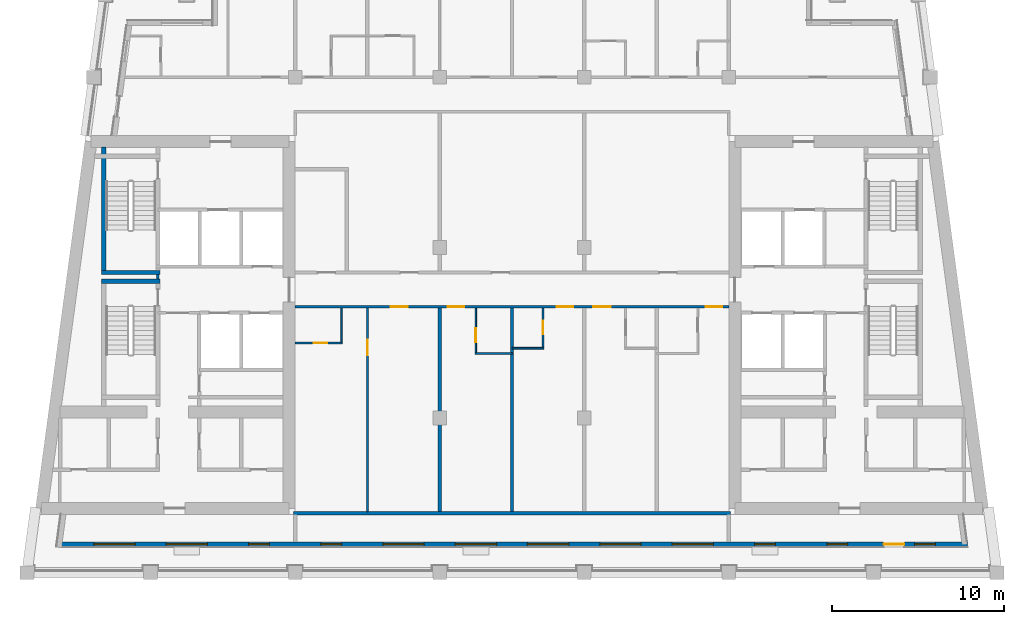
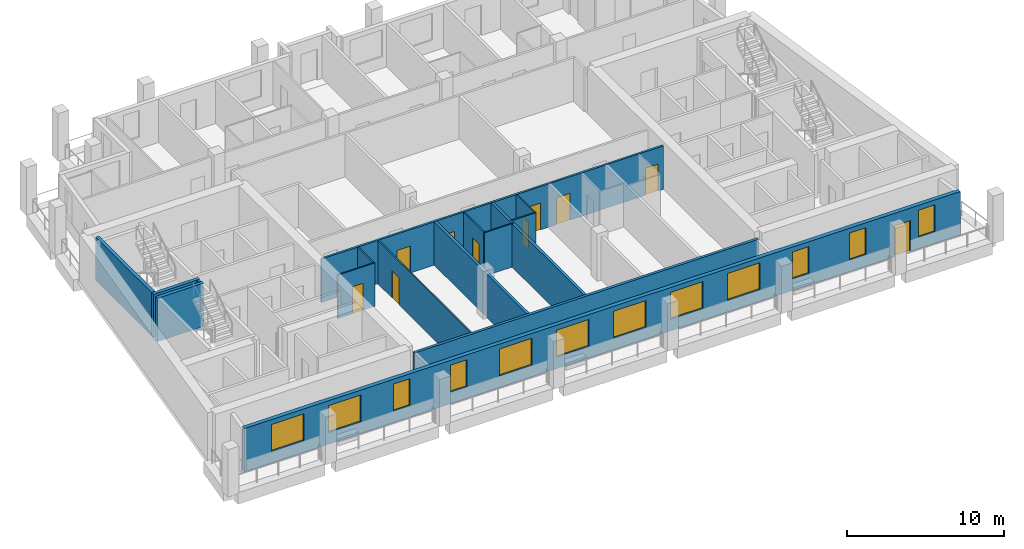
# One storey, part 3 of 14: 16 walls, 12 windows, 10 doors, 22 openings.
"""IFC4 building model written with IfcOpenShell, lengths in metres."""

from ifc_helpers import new_model, si_unit, direction, frame, frame_2d, origin, place, context, subcontext, project, spatial, rectangle, extrude, material, layer, layer_set, type_object, element, fill, save


model = new_model("IFC4")

# Units and contexts
model_context = context("Model", 3, precision=1e-05, world=origin(), true_north=direction((0.0, 1.0)))
body_context = subcontext(model_context, "Body", "Model", "MODEL_VIEW")
ifc_project = project(units=[si_unit("LENGTHUNIT", "METRE"), si_unit("AREAUNIT", "SQUARE_METRE"), si_unit("VOLUMEUNIT", "CUBIC_METRE"), si_unit("PLANEANGLEUNIT", "RADIAN"), si_unit("MASSUNIT", "GRAM", prefix="KILO")], contexts=[model_context])

# Site, building, storey
site_placement = place(None, origin())
site = spatial("IfcSite", under=ifc_project, at=site_placement, CompositionType="ELEMENT")
building_placement = place(site_placement, origin())
building = spatial("IfcBuilding", under=site, at=building_placement, Name="Candeia Pilgrim Tower and Theatre", CompositionType="ELEMENT")
storey_placement = place(building_placement, frame((0.0, 0.0, 273.800048828125)))
storey = spatial("IfcBuildingStorey", under=building, at=storey_placement, Name="L66", CompositionType="ELEMENT", Elevation=273.800048828125)

# Wall, openings, door, windows
ifc_material_1 = material(Name="Ceramic block masonry", Category="masonry")
ifc_layer_1 = layer(ifc_material_1, 0.300048828125)
ifc_layer_set_1 = layer_set([ifc_layer_1], Name="EW1 glazing-line wall 300")
wall_type_1 = type_object("IfcWallType", Name="EW1 glazing-line wall 300", PredefinedType="SOLIDWALL", material=ifc_layer_set_1)
wall_1_placement = place(storey_placement, frame((87.0986328125, 108.64990234375, 0.0), z_axis=(0.0, 0.0, 1.0), x_axis=(1.0, 0.0, 0.0)))
wall_1 = element("IfcWall", 1, at=wall_1_placement, inside=storey, type_object=wall_type_1, Name="External wall L66-1.0", PredefinedType="SOLIDWALL", context=body_context, shape_type="SweptSolid", body=[
    extrude(rectangle(XDim=52.7744140625, YDim=0.300048828125, at=frame_2d((26.38720703125, 0.0))), origin(), (0.0, 0.0, 1.0), 3.3798828125),
])
opening_1_placement = place(wall_1_placement, frame((2.00146484375, 0.0, 0.89990234375)))
opening_1 = element("IfcOpeningElement", 2, at=opening_1_placement, cuts=wall_1, Name="Opening W-A", PredefinedType="OPENING", context=body_context, shape_type="SweptSolid", body=[
    extrude(rectangle(XDim=2.39990234375, YDim=2.10009765625, at=frame_2d((1.199951171875, 1.050048828125))), frame((0.0, 0.16015625, 0.0), z_axis=(0.0, -1.0, 0.0), x_axis=(1.0, 0.0, 0.0)), (0.0, 0.0, 1.0), 0.320068359375),
])
opening_2_placement = place(wall_1_placement, frame((6.201416015625, 0.0, 0.89990234375)))
opening_2 = element("IfcOpeningElement", 3, at=opening_2_placement, cuts=wall_1, Name="Opening W-A", PredefinedType="OPENING", context=body_context, shape_type="SweptSolid", body=[
    extrude(rectangle(XDim=2.39990234375, YDim=2.10009765625, at=frame_2d((1.199951171875, 1.050048828125))), frame((0.0, 0.16015625, 0.0), z_axis=(0.0, -1.0, 0.0), x_axis=(1.0, 0.0, 0.0)), (0.0, 0.0, 1.0), 0.320068359375),
])
opening_3_placement = place(wall_1_placement, frame((11.00146484375, 0.0, 0.89990234375)))
opening_3 = element("IfcOpeningElement", 4, at=opening_3_placement, cuts=wall_1, Name="Opening W-B", PredefinedType="OPENING", context=body_context, shape_type="SweptSolid", body=[
    extrude(rectangle(XDim=1.199951171875, YDim=2.10009765625, at=frame_2d((0.60009765625, 1.050048828125))), frame((0.0, 0.16015625, 0.0), z_axis=(0.0, -1.0, 0.0), x_axis=(1.0, 0.0, 0.0)), (0.0, 0.0, 1.0), 0.320068359375),
])
opening_4_placement = place(wall_1_placement, frame((15.201416015625, 0.0, 0.89990234375)))
opening_4 = element("IfcOpeningElement", 5, at=opening_4_placement, cuts=wall_1, Name="Opening W-B", PredefinedType="OPENING", context=body_context, shape_type="SweptSolid", body=[
    extrude(rectangle(XDim=1.199951171875, YDim=2.10009765625, at=frame_2d((0.60009765625, 1.050048828125))), frame((0.0, 0.16015625, 0.0), z_axis=(0.0, -1.0, 0.0), x_axis=(1.0, 0.0, 0.0)), (0.0, 0.0, 1.0), 0.320068359375),
])
opening_5_placement = place(wall_1_placement, frame((18.801513671875, 0.0, 0.89990234375)))
opening_5 = element("IfcOpeningElement", 6, at=opening_5_placement, cuts=wall_1, Name="Opening W-A", PredefinedType="OPENING", context=body_context, shape_type="SweptSolid", body=[
    extrude(rectangle(XDim=2.39990234375, YDim=2.10009765625, at=frame_2d((1.199951171875, 1.050048828125))), frame((0.0, 0.16015625, 0.0), z_axis=(0.0, -1.0, 0.0), x_axis=(1.0, 0.0, 0.0)), (0.0, 0.0, 1.0), 0.320068359375),
])
opening_6_placement = place(wall_1_placement, frame((23.00146484375, 0.0, 0.89990234375)))
opening_6 = element("IfcOpeningElement", 7, at=opening_6_placement, cuts=wall_1, Name="Opening W-A", PredefinedType="OPENING", context=body_context, shape_type="SweptSolid", body=[
    extrude(rectangle(XDim=2.39990234375, YDim=2.10009765625, at=frame_2d((1.199951171875, 1.050048828125))), frame((0.0, 0.16015625, 0.0), z_axis=(0.0, -1.0, 0.0), x_axis=(1.0, 0.0, 0.0)), (0.0, 0.0, 1.0), 0.320068359375),
])
opening_7_placement = place(wall_1_placement, frame((27.201416015625, 0.0, 0.89990234375)))
opening_7 = element("IfcOpeningElement", 8, at=opening_7_placement, cuts=wall_1, Name="Opening W-A", PredefinedType="OPENING", context=body_context, shape_type="SweptSolid", body=[
    extrude(rectangle(XDim=2.39990234375, YDim=2.10009765625, at=frame_2d((1.199951171875, 1.050048828125))), frame((0.0, 0.16015625, 0.0), z_axis=(0.0, -1.0, 0.0), x_axis=(1.0, 0.0, 0.0)), (0.0, 0.0, 1.0), 0.320068359375),
])
opening_8_placement = place(wall_1_placement, frame((31.4013671875, 0.0, 0.89990234375)))
opening_8 = element("IfcOpeningElement", 9, at=opening_8_placement, cuts=wall_1, Name="Opening W-A", PredefinedType="OPENING", context=body_context, shape_type="SweptSolid", body=[
    extrude(rectangle(XDim=2.39990234375, YDim=2.10009765625, at=frame_2d((1.199951171875, 1.050048828125))), frame((0.0, 0.16015625, 0.0), z_axis=(0.0, -1.0, 0.0), x_axis=(1.0, 0.0, 0.0)), (0.0, 0.0, 1.0), 0.320068359375),
])
opening_9_placement = place(wall_1_placement, frame((35.6015625, 0.0, 0.89990234375)))
opening_9 = element("IfcOpeningElement", 10, at=opening_9_placement, cuts=wall_1, Name="Opening W-A", PredefinedType="OPENING", context=body_context, shape_type="SweptSolid", body=[
    extrude(rectangle(XDim=2.39990234375, YDim=2.10009765625, at=frame_2d((1.199951171875, 1.050048828125))), frame((0.0, 0.16015625, 0.0), z_axis=(0.0, -1.0, 0.0), x_axis=(1.0, 0.0, 0.0)), (0.0, 0.0, 1.0), 0.320068359375),
])
opening_10_placement = place(wall_1_placement, frame((40.4013671875, 0.0, 0.89990234375)))
opening_10 = element("IfcOpeningElement", 11, at=opening_10_placement, cuts=wall_1, Name="Opening W-B", PredefinedType="OPENING", context=body_context, shape_type="SweptSolid", body=[
    extrude(rectangle(XDim=1.199951171875, YDim=2.10009765625, at=frame_2d((0.60009765625, 1.050048828125))), frame((0.0, 0.16015625, 0.0), z_axis=(0.0, -1.0, 0.0), x_axis=(1.0, 0.0, 0.0)), (0.0, 0.0, 1.0), 0.320068359375),
])
opening_11_placement = place(wall_1_placement, frame((44.6015625, 0.0, 0.89990234375)))
opening_11 = element("IfcOpeningElement", 12, at=opening_11_placement, cuts=wall_1, Name="Opening W-B", PredefinedType="OPENING", context=body_context, shape_type="SweptSolid", body=[
    extrude(rectangle(XDim=1.199951171875, YDim=2.10009765625, at=frame_2d((0.60009765625, 1.050048828125))), frame((0.0, 0.16015625, 0.0), z_axis=(0.0, -1.0, 0.0), x_axis=(1.0, 0.0, 0.0)), (0.0, 0.0, 1.0), 0.320068359375),
])
opening_12_placement = place(wall_1_placement, frame((47.9013671875, 0.0, 0.0)))
opening_12 = element("IfcOpeningElement", 13, at=opening_12_placement, cuts=wall_1, Name="Opening L66-ED622", PredefinedType="OPENING", context=body_context, shape_type="SweptSolid", body=[
    extrude(rectangle(XDim=1.199951171875, YDim=2.39990234375, at=frame_2d((0.60009765625, 1.199951171875))), frame((0.0, 0.16015625, 0.0), z_axis=(0.0, -1.0, 0.0), x_axis=(1.0, 0.0, 0.0)), (0.0, 0.0, 1.0), 0.320068359375),
])
opening_13_placement = place(wall_1_placement, frame((49.701416015625, 0.0, 0.89990234375)))
opening_13 = element("IfcOpeningElement", 14, at=opening_13_placement, cuts=wall_1, Name="Opening W-B", PredefinedType="OPENING", context=body_context, shape_type="SweptSolid", body=[
    extrude(rectangle(XDim=1.199951171875, YDim=2.10009765625, at=frame_2d((0.60009765625, 1.050048828125))), frame((0.0, 0.16015625, 0.0), z_axis=(0.0, -1.0, 0.0), x_axis=(1.0, 0.0, 0.0)), (0.0, 0.0, 1.0), 0.320068359375),
])
ifc_material_2 = material(Name="Aluminium framed glazed door", Category="aluminium")
door_type_1 = type_object("IfcDoorType", Name="Loggia door 1200x2400", OperationType="DOUBLE_DOOR_SINGLE_SWING", PredefinedType="DOOR", material=ifc_material_2)
door_1_placement = place(opening_12_placement, origin())
door_1 = element("IfcDoor", 15, at=door_1_placement, inside=storey, type_object=door_type_1, Name="Loggia door L66-ED622", OperationType="DOUBLE_DOOR_SINGLE_SWING", OverallHeight=2.39990234375, OverallWidth=1.199951171875, PredefinedType="DOOR", context=body_context, shape_type="SweptSolid", body=[
    extrude(rectangle(XDim=1.199951171875, YDim=2.39990234375, at=frame_2d((0.60009765625, 1.199951171875))), frame((0.0, 0.02490234375, 0.0), z_axis=(0.0, -1.0, 0.0), x_axis=(1.0, 0.0, 0.0)), (0.0, 0.0, 1.0), 0.050048828125),
])
fill(opening_12, door_1)
ifc_material_3 = material(Name="Aluminium framed double glazing", Category="aluminium")
window_type_1 = type_object("IfcWindowType", Name="W-A window 2400x2100", PartitioningType="DOUBLE_PANEL_VERTICAL", PredefinedType="WINDOW", material=ifc_material_3)
window_1_placement = place(opening_1_placement, origin())
window_1 = element("IfcWindow", 16, at=window_1_placement, inside=storey, type_object=window_type_1, Name="Window W-A L66", OverallHeight=2.10009765625, OverallWidth=2.39990234375, PartitioningType="SINGLE_PANEL", PredefinedType="WINDOW", context=body_context, shape_type="SweptSolid", body=[
    extrude(rectangle(XDim=2.39990234375, YDim=2.10009765625, at=frame_2d((1.199951171875, 1.050048828125))), frame((0.0, 0.030029296875, 0.0), z_axis=(0.0, -1.0, 0.0), x_axis=(1.0, 0.0, 0.0)), (0.0, 0.0, 1.0), 0.06005859375),
])
fill(opening_1, window_1)
window_2_placement = place(opening_2_placement, origin())
window_2 = element("IfcWindow", 17, at=window_2_placement, inside=storey, type_object=window_type_1, Name="Window W-A L66", OverallHeight=2.10009765625, OverallWidth=2.39990234375, PartitioningType="SINGLE_PANEL", PredefinedType="WINDOW", context=body_context, shape_type="SweptSolid", body=[
    extrude(rectangle(XDim=2.39990234375, YDim=2.10009765625, at=frame_2d((1.199951171875, 1.050048828125))), frame((0.0, 0.030029296875, 0.0), z_axis=(0.0, -1.0, 0.0), x_axis=(1.0, 0.0, 0.0)), (0.0, 0.0, 1.0), 0.06005859375),
])
fill(opening_2, window_2)
window_3_placement = place(opening_5_placement, origin())
window_3 = element("IfcWindow", 18, at=window_3_placement, inside=storey, type_object=window_type_1, Name="Window W-A L66", OverallHeight=2.10009765625, OverallWidth=2.39990234375, PartitioningType="SINGLE_PANEL", PredefinedType="WINDOW", context=body_context, shape_type="SweptSolid", body=[
    extrude(rectangle(XDim=2.39990234375, YDim=2.10009765625, at=frame_2d((1.199951171875, 1.050048828125))), frame((0.0, 0.030029296875, 0.0), z_axis=(0.0, -1.0, 0.0), x_axis=(1.0, 0.0, 0.0)), (0.0, 0.0, 1.0), 0.06005859375),
])
fill(opening_5, window_3)
window_4_placement = place(opening_6_placement, origin())
window_4 = element("IfcWindow", 19, at=window_4_placement, inside=storey, type_object=window_type_1, Name="Window W-A L66", OverallHeight=2.10009765625, OverallWidth=2.39990234375, PartitioningType="SINGLE_PANEL", PredefinedType="WINDOW", context=body_context, shape_type="SweptSolid", body=[
    extrude(rectangle(XDim=2.39990234375, YDim=2.10009765625, at=frame_2d((1.199951171875, 1.050048828125))), frame((0.0, 0.030029296875, 0.0), z_axis=(0.0, -1.0, 0.0), x_axis=(1.0, 0.0, 0.0)), (0.0, 0.0, 1.0), 0.06005859375),
])
fill(opening_6, window_4)
window_5_placement = place(opening_7_placement, origin())
window_5 = element("IfcWindow", 20, at=window_5_placement, inside=storey, type_object=window_type_1, Name="Window W-A L66", OverallHeight=2.10009765625, OverallWidth=2.39990234375, PartitioningType="SINGLE_PANEL", PredefinedType="WINDOW", context=body_context, shape_type="SweptSolid", body=[
    extrude(rectangle(XDim=2.39990234375, YDim=2.10009765625, at=frame_2d((1.199951171875, 1.050048828125))), frame((0.0, 0.030029296875, 0.0), z_axis=(0.0, -1.0, 0.0), x_axis=(1.0, 0.0, 0.0)), (0.0, 0.0, 1.0), 0.06005859375),
])
fill(opening_7, window_5)
window_6_placement = place(opening_8_placement, origin())
window_6 = element("IfcWindow", 21, at=window_6_placement, inside=storey, type_object=window_type_1, Name="Window W-A L66", OverallHeight=2.10009765625, OverallWidth=2.39990234375, PartitioningType="SINGLE_PANEL", PredefinedType="WINDOW", context=body_context, shape_type="SweptSolid", body=[
    extrude(rectangle(XDim=2.39990234375, YDim=2.10009765625, at=frame_2d((1.199951171875, 1.050048828125))), frame((0.0, 0.030029296875, 0.0), z_axis=(0.0, -1.0, 0.0), x_axis=(1.0, 0.0, 0.0)), (0.0, 0.0, 1.0), 0.06005859375),
])
fill(opening_8, window_6)
window_7_placement = place(opening_9_placement, origin())
window_7 = element("IfcWindow", 22, at=window_7_placement, inside=storey, type_object=window_type_1, Name="Window W-A L66", OverallHeight=2.10009765625, OverallWidth=2.39990234375, PartitioningType="SINGLE_PANEL", PredefinedType="WINDOW", context=body_context, shape_type="SweptSolid", body=[
    extrude(rectangle(XDim=2.39990234375, YDim=2.10009765625, at=frame_2d((1.199951171875, 1.050048828125))), frame((0.0, 0.030029296875, 0.0), z_axis=(0.0, -1.0, 0.0), x_axis=(1.0, 0.0, 0.0)), (0.0, 0.0, 1.0), 0.06005859375),
])
fill(opening_9, window_7)
window_type_2 = type_object("IfcWindowType", Name="W-B window 1200x2100", PartitioningType="SINGLE_PANEL", PredefinedType="WINDOW", material=ifc_material_3)
window_8_placement = place(opening_3_placement, origin())
window_8 = element("IfcWindow", 23, at=window_8_placement, inside=storey, type_object=window_type_2, Name="Window W-B L66", OverallHeight=2.10009765625, OverallWidth=1.199951171875, PartitioningType="SINGLE_PANEL", PredefinedType="WINDOW", context=body_context, shape_type="SweptSolid", body=[
    extrude(rectangle(XDim=1.199951171875, YDim=2.10009765625, at=frame_2d((0.60009765625, 1.050048828125))), frame((0.0, 0.030029296875, 0.0), z_axis=(0.0, -1.0, 0.0), x_axis=(1.0, 0.0, 0.0)), (0.0, 0.0, 1.0), 0.06005859375),
])
fill(opening_3, window_8)
window_9_placement = place(opening_4_placement, origin())
window_9 = element("IfcWindow", 24, at=window_9_placement, inside=storey, type_object=window_type_2, Name="Window W-B L66", OverallHeight=2.10009765625, OverallWidth=1.199951171875, PartitioningType="SINGLE_PANEL", PredefinedType="WINDOW", context=body_context, shape_type="SweptSolid", body=[
    extrude(rectangle(XDim=1.199951171875, YDim=2.10009765625, at=frame_2d((0.60009765625, 1.050048828125))), frame((0.0, 0.030029296875, 0.0), z_axis=(0.0, -1.0, 0.0), x_axis=(1.0, 0.0, 0.0)), (0.0, 0.0, 1.0), 0.06005859375),
])
fill(opening_4, window_9)
window_10_placement = place(opening_10_placement, origin())
window_10 = element("IfcWindow", 25, at=window_10_placement, inside=storey, type_object=window_type_2, Name="Window W-B L66", OverallHeight=2.10009765625, OverallWidth=1.199951171875, PartitioningType="SINGLE_PANEL", PredefinedType="WINDOW", context=body_context, shape_type="SweptSolid", body=[
    extrude(rectangle(XDim=1.199951171875, YDim=2.10009765625, at=frame_2d((0.60009765625, 1.050048828125))), frame((0.0, 0.030029296875, 0.0), z_axis=(0.0, -1.0, 0.0), x_axis=(1.0, 0.0, 0.0)), (0.0, 0.0, 1.0), 0.06005859375),
])
fill(opening_10, window_10)
window_11_placement = place(opening_11_placement, origin())
window_11 = element("IfcWindow", 26, at=window_11_placement, inside=storey, type_object=window_type_2, Name="Window W-B L66", OverallHeight=2.10009765625, OverallWidth=1.199951171875, PartitioningType="SINGLE_PANEL", PredefinedType="WINDOW", context=body_context, shape_type="SweptSolid", body=[
    extrude(rectangle(XDim=1.199951171875, YDim=2.10009765625, at=frame_2d((0.60009765625, 1.050048828125))), frame((0.0, 0.030029296875, 0.0), z_axis=(0.0, -1.0, 0.0), x_axis=(1.0, 0.0, 0.0)), (0.0, 0.0, 1.0), 0.06005859375),
])
fill(opening_11, window_11)
window_12_placement = place(opening_13_placement, origin())
window_12 = element("IfcWindow", 27, at=window_12_placement, inside=storey, type_object=window_type_2, Name="Window W-B L66", OverallHeight=2.10009765625, OverallWidth=1.199951171875, PartitioningType="SINGLE_PANEL", PredefinedType="WINDOW", context=body_context, shape_type="SweptSolid", body=[
    extrude(rectangle(XDim=1.199951171875, YDim=2.10009765625, at=frame_2d((0.60009765625, 1.050048828125))), frame((0.0, 0.030029296875, 0.0), z_axis=(0.0, -1.0, 0.0), x_axis=(1.0, 0.0, 0.0)), (0.0, 0.0, 1.0), 0.06005859375),
])
fill(opening_13, window_12)

# Walls
ifc_material_4 = material(Name="Gypsum board partition on steel studs", Category="steel")
ifc_layer_2 = layer(ifc_material_4, 0.10009765625)
ifc_layer_set_2 = layer_set([ifc_layer_2], Name="PW-100 room partition")
wall_type_2 = type_object("IfcWallType", Name="PW-100 room partition", PredefinedType="PARTITIONING", material=ifc_layer_set_2)
wall_2_placement = place(storey_placement, frame((111.25, 119.75, 0.0), z_axis=(0.0, 0.0, 1.0), x_axis=(1.0, 0.0, 0.0)))
element("IfcWall", 28, at=wall_2_placement, inside=storey, type_object=wall_type_2, Name="Room partition L66-014", PredefinedType="PARTITIONING", context=body_context, shape_type="SweptSolid", body=[
    extrude(rectangle(XDim=2.14990234375, YDim=0.10009765625, at=frame_2d((1.074951171875, 0.0))), origin(), (0.0, 0.0, 1.0), 3.3798828125),
])
wall_3_placement = place(storey_placement, frame((113.39990234375, 120.050048828125, 0.0), z_axis=(0.0, 0.0, 1.0), x_axis=(1.0, 0.0, 0.0)))
element("IfcWall", 29, at=wall_3_placement, inside=storey, type_object=wall_type_2, Name="Room partition L66-016", PredefinedType="PARTITIONING", context=body_context, shape_type="SweptSolid", body=[
    extrude(rectangle(XDim=1.85009765625, YDim=0.10009765625, at=frame_2d((0.925048828125, 0.0))), origin(), (0.0, 0.0, 1.0), 3.3798828125),
])

# Wall, opening, door
wall_4_placement = place(storey_placement, frame((100.800048828125, 120.35009765625, 0.0), z_axis=(0.0, 0.0, 1.0), x_axis=(1.0, 0.0, 0.0)))
wall_4 = element("IfcWall", 30, at=wall_4_placement, inside=storey, type_object=wall_type_2, Name="Room partition L66-018", PredefinedType="PARTITIONING", context=body_context, shape_type="SweptSolid", body=[
    extrude(rectangle(XDim=2.75, YDim=0.10009765625, at=frame_2d((1.375, 0.0))), origin(), (0.0, 0.0, 1.0), 3.3798828125),
])
opening_14_placement = place(wall_4_placement, frame((1.070068359375, 0.0, 0.0)))
opening_14 = element("IfcOpeningElement", 31, at=opening_14_placement, cuts=wall_4, Name="Opening L66-D019", PredefinedType="OPENING", context=body_context, shape_type="SweptSolid", body=[
    extrude(rectangle(XDim=0.800048828125, YDim=2.10009765625, at=frame_2d((0.39990234375, 1.050048828125))), frame((0.0, 0.06005859375, 0.0), z_axis=(0.0, -1.0, 0.0), x_axis=(1.0, 0.0, 0.0)), (0.0, 0.0, 1.0), 0.1201171875),
])
ifc_material_5 = material(Name="Timber door leaf", Category="wood")
door_type_2 = type_object("IfcDoorType", Name="D-800", OperationType="NOTDEFINED", PredefinedType="DOOR", material=ifc_material_5)
door_2_placement = place(opening_14_placement, origin())
door_2 = element("IfcDoor", 32, at=door_2_placement, inside=storey, type_object=door_type_2, Name="Door L66-D019", OperationType="SINGLE_SWING_LEFT", OverallHeight=2.10009765625, OverallWidth=0.800048828125, PredefinedType="DOOR", context=body_context, shape_type="SweptSolid", body=[
    extrude(rectangle(XDim=0.800048828125, YDim=2.10009765625, at=frame_2d((0.39990234375, 1.050048828125))), frame((0.0, 0.02490234375, 0.0), z_axis=(0.0, -1.0, 0.0), x_axis=(1.0, 0.0, 0.0)), (0.0, 0.0, 1.0), 0.050048828125),
])
fill(opening_14, door_2)

# Wall
wall_5_placement = place(storey_placement, frame((103.5, 120.39990234375, 0.0), z_axis=(0.0, 0.0, 1.0), x_axis=(0.0, 1.0, 0.0)))
element("IfcWall", 33, at=wall_5_placement, inside=storey, type_object=wall_type_2, Name="Room partition L66-065", PredefinedType="PARTITIONING", context=body_context, shape_type="SweptSolid", body=[
    extrude(rectangle(XDim=1.97509765625, YDim=0.10009765625, at=frame_2d((0.987548828125, 0.0))), origin(), (0.0, 0.0, 1.0), 3.3798828125),
])

# Wall, opening, door
wall_6_placement = place(storey_placement, frame((105.0, 110.550048828125, 0.0), z_axis=(0.0, 0.0, 1.0), x_axis=(0.0, 1.0, 0.0)))
wall_6 = element("IfcWall", 34, at=wall_6_placement, inside=storey, type_object=wall_type_2, Name="Room partition L66-067", PredefinedType="PARTITIONING", context=body_context, shape_type="SweptSolid", body=[
    extrude(rectangle(XDim=11.824951171875, YDim=0.10009765625, at=frame_2d((5.91259765625, 0.0))), origin(), (0.0, 0.0, 1.0), 3.3798828125),
])
opening_15_placement = place(wall_6_placement, frame((9.090087890625, 0.0, 0.0)))
opening_15 = element("IfcOpeningElement", 35, at=opening_15_placement, cuts=wall_6, Name="Opening L66-D018", PredefinedType="OPENING", context=body_context, shape_type="SweptSolid", body=[
    extrude(rectangle(XDim=0.89990234375, YDim=2.10009765625, at=frame_2d((0.449951171875, 1.050048828125))), frame((0.0, 0.06005859375, 0.0), z_axis=(0.0, -1.0, 0.0), x_axis=(1.0, 0.0, 0.0)), (0.0, 0.0, 1.0), 0.1201171875),
])
door_type_3 = type_object("IfcDoorType", Name="D-900", OperationType="NOTDEFINED", PredefinedType="DOOR", material=ifc_material_5)
door_3_placement = place(opening_15_placement, origin())
door_3 = element("IfcDoor", 36, at=door_3_placement, inside=storey, type_object=door_type_3, Name="Door L66-D018", OperationType="SINGLE_SWING_RIGHT", OverallHeight=2.10009765625, OverallWidth=0.89990234375, PredefinedType="DOOR", context=body_context, shape_type="SweptSolid", body=[
    extrude(rectangle(XDim=0.89990234375, YDim=2.10009765625, at=frame_2d((0.449951171875, 1.050048828125))), frame((0.0, 0.02490234375, 0.0), z_axis=(0.0, -1.0, 0.0), x_axis=(1.0, 0.0, 0.0)), (0.0, 0.0, 1.0), 0.050048828125),
])
fill(opening_15, door_3)

wall_7_placement = place(storey_placement, frame((111.300048828125, 119.800048828125, 0.0), z_axis=(0.0, 0.0, 1.0), x_axis=(0.0, 1.0, 0.0)))
wall_7 = element("IfcWall", 37, at=wall_7_placement, inside=storey, type_object=wall_type_2, Name="Room partition L66-073", PredefinedType="PARTITIONING", context=body_context, shape_type="SweptSolid", body=[
    extrude(rectangle(XDim=2.574951171875, YDim=0.10009765625, at=frame_2d((1.28759765625, 0.0))), origin(), (0.0, 0.0, 1.0), 3.3798828125),
])
opening_16_placement = place(wall_7_placement, frame((0.60009765625, 0.0, 0.0)))
opening_16 = element("IfcOpeningElement", 38, at=opening_16_placement, cuts=wall_7, Name="Opening L66-D021", PredefinedType="OPENING", context=body_context, shape_type="SweptSolid", body=[
    extrude(rectangle(XDim=0.800048828125, YDim=2.10009765625, at=frame_2d((0.39990234375, 1.050048828125))), frame((0.0, 0.06005859375, 0.0), z_axis=(0.0, -1.0, 0.0), x_axis=(1.0, 0.0, 0.0)), (0.0, 0.0, 1.0), 0.1201171875),
])
door_4_placement = place(opening_16_placement, origin())
door_4 = element("IfcDoor", 39, at=door_4_placement, inside=storey, type_object=door_type_2, Name="Door L66-D021", OperationType="SINGLE_SWING_LEFT", OverallHeight=2.10009765625, OverallWidth=0.800048828125, PredefinedType="DOOR", context=body_context, shape_type="SweptSolid", body=[
    extrude(rectangle(XDim=0.800048828125, YDim=2.10009765625, at=frame_2d((0.39990234375, 1.050048828125))), frame((0.0, 0.02490234375, 0.0), z_axis=(0.0, -1.0, 0.0), x_axis=(1.0, 0.0, 0.0)), (0.0, 0.0, 1.0), 0.050048828125),
])
fill(opening_16, door_4)

wall_8_placement = place(storey_placement, frame((115.199951171875, 120.10009765625, 0.0), z_axis=(0.0, 0.0, 1.0), x_axis=(0.0, 1.0, 0.0)))
wall_8 = element("IfcWall", 40, at=wall_8_placement, inside=storey, type_object=wall_type_2, Name="Room partition L66-076", PredefinedType="PARTITIONING", context=body_context, shape_type="SweptSolid", body=[
    extrude(rectangle(XDim=2.27490234375, YDim=0.10009765625, at=frame_2d((1.137451171875, 0.0))), origin(), (0.0, 0.0, 1.0), 3.3798828125),
])
opening_17_placement = place(wall_8_placement, frame((0.75, 0.0, 0.0)))
opening_17 = element("IfcOpeningElement", 41, at=opening_17_placement, cuts=wall_8, Name="Opening L66-D023", PredefinedType="OPENING", context=body_context, shape_type="SweptSolid", body=[
    extrude(rectangle(XDim=0.800048828125, YDim=2.10009765625, at=frame_2d((0.39990234375, 1.050048828125))), frame((0.0, 0.06005859375, 0.0), z_axis=(0.0, -1.0, 0.0), x_axis=(1.0, 0.0, 0.0)), (0.0, 0.0, 1.0), 0.1201171875),
])
door_5_placement = place(opening_17_placement, origin())
door_5 = element("IfcDoor", 42, at=door_5_placement, inside=storey, type_object=door_type_2, Name="Door L66-D023", OperationType="SINGLE_SWING_LEFT", OverallHeight=2.10009765625, OverallWidth=0.800048828125, PredefinedType="DOOR", context=body_context, shape_type="SweptSolid", body=[
    extrude(rectangle(XDim=0.800048828125, YDim=2.10009765625, at=frame_2d((0.39990234375, 1.050048828125))), frame((0.0, 0.02490234375, 0.0), z_axis=(0.0, -1.0, 0.0), x_axis=(1.0, 0.0, 0.0)), (0.0, 0.0, 1.0), 0.050048828125),
])
fill(opening_17, door_5)

# Wall
ifc_layer_3 = layer(ifc_material_4, 0.14990234375)
ifc_layer_set_3 = layer_set([ifc_layer_3], Name="PW-150 lobby wall")
wall_type_3 = type_object("IfcWallType", Name="PW-150 lobby wall", PredefinedType="PARTITIONING", material=ifc_layer_set_3)
wall_9_placement = place(storey_placement, frame((92.826904296875, 124.074951171875, 0.0), z_axis=(0.0, 0.0, 1.0), x_axis=(0.0, 1.0, 0.0)))
element("IfcWall", 43, at=wall_9_placement, inside=storey, type_object=wall_type_3, Name="Lobby wall L66-050", PredefinedType="PARTITIONING", context=body_context, shape_type="SweptSolid", body=[
    extrude(rectangle(XDim=0.25, YDim=0.14990234375, at=frame_2d((0.125, 0.0))), origin(), (0.0, 0.0, 1.0), 3.3798828125),
])

# Wall, openings, doors
ifc_layer_4 = layer(ifc_material_4, 0.14990234375)
ifc_layer_set_4 = layer_set([ifc_layer_4], Name="PW-150 unit wall")
wall_type_4 = type_object("IfcWallType", Name="PW-150 unit wall", PredefinedType="PARTITIONING", material=ifc_layer_set_4)
wall_10_placement = place(storey_placement, frame((100.800048828125, 122.449951171875, 0.0), z_axis=(0.0, 0.0, 1.0), x_axis=(1.0, 0.0, 0.0)))
wall_10 = element("IfcWall", 44, at=wall_10_placement, inside=storey, type_object=wall_type_4, Name="Unit wall L66-023", PredefinedType="PARTITIONING", context=body_context, shape_type="SweptSolid", body=[
    extrude(rectangle(XDim=25.199951171875, YDim=0.14990234375, at=frame_2d((12.60009765625, 0.0))), origin(), (0.0, 0.0, 1.0), 3.3798828125),
])
opening_18_placement = place(wall_10_placement, frame((5.550048828125, 0.0, 0.0)))
opening_18 = element("IfcOpeningElement", 45, at=opening_18_placement, cuts=wall_10, Name="Opening L66-D017", PredefinedType="OPENING", context=body_context, shape_type="SweptSolid", body=[
    extrude(rectangle(XDim=1.0, YDim=2.10009765625, at=frame_2d((0.5, 1.050048828125))), frame((0.0, 0.0849609375, 0.0), z_axis=(0.0, -1.0, 0.0), x_axis=(1.0, 0.0, 0.0)), (0.0, 0.0, 1.0), 0.169921875),
])
opening_19_placement = place(wall_10_placement, frame((8.862060546875, 0.0, 0.0)))
opening_19 = element("IfcOpeningElement", 46, at=opening_19_placement, cuts=wall_10, Name="Opening L66-D020", PredefinedType="OPENING", context=body_context, shape_type="SweptSolid", body=[
    extrude(rectangle(XDim=0.949951171875, YDim=2.10009765625, at=frame_2d((0.47509765625, 1.050048828125))), frame((0.0, 0.0849609375, 0.0), z_axis=(0.0, -1.0, 0.0), x_axis=(1.0, 0.0, 0.0)), (0.0, 0.0, 1.0), 0.169921875),
])
opening_20_placement = place(wall_10_placement, frame((15.199951171875, 0.0, 0.0)))
opening_20 = element("IfcOpeningElement", 47, at=opening_20_placement, cuts=wall_10, Name="Opening L66-D022", PredefinedType="OPENING", context=body_context, shape_type="SweptSolid", body=[
    extrude(rectangle(XDim=0.949951171875, YDim=2.10009765625, at=frame_2d((0.47509765625, 1.050048828125))), frame((0.0, 0.0849609375, 0.0), z_axis=(0.0, -1.0, 0.0), x_axis=(1.0, 0.0, 0.0)), (0.0, 0.0, 1.0), 0.169921875),
])
opening_21_placement = place(wall_10_placement, frame((17.324951171875, 0.0, 0.0)))
opening_21 = element("IfcOpeningElement", 48, at=opening_21_placement, cuts=wall_10, Name="Opening L66-D024", PredefinedType="OPENING", context=body_context, shape_type="SweptSolid", body=[
    extrude(rectangle(XDim=1.0, YDim=2.10009765625, at=frame_2d((0.5, 1.050048828125))), frame((0.0, 0.0849609375, 0.0), z_axis=(0.0, -1.0, 0.0), x_axis=(1.0, 0.0, 0.0)), (0.0, 0.0, 1.0), 0.169921875),
])
opening_22_placement = place(wall_10_placement, frame((23.862060546875, 0.0, 0.0)))
opening_22 = element("IfcOpeningElement", 49, at=opening_22_placement, cuts=wall_10, Name="Opening L66-D026", PredefinedType="OPENING", context=body_context, shape_type="SweptSolid", body=[
    extrude(rectangle(XDim=0.949951171875, YDim=2.10009765625, at=frame_2d((0.47509765625, 1.050048828125))), frame((0.0, 0.0849609375, 0.0), z_axis=(0.0, -1.0, 0.0), x_axis=(1.0, 0.0, 0.0)), (0.0, 0.0, 1.0), 0.169921875),
])
ifc_material_6 = material(Name="Steel fire door set", Category="steel")
door_type_4 = type_object("IfcDoorType", Name="D-1000-FD30S", OperationType="NOTDEFINED", PredefinedType="DOOR", material=ifc_material_6)
door_6_placement = place(opening_18_placement, origin())
door_6 = element("IfcDoor", 50, at=door_6_placement, inside=storey, type_object=door_type_4, Name="Door L66-D017", OperationType="SINGLE_SWING_LEFT", OverallHeight=2.10009765625, OverallWidth=1.0, PredefinedType="DOOR", context=body_context, shape_type="SweptSolid", body=[
    extrude(rectangle(XDim=1.0, YDim=2.10009765625, at=frame_2d((0.5, 1.050048828125))), frame((0.0, 0.02490234375, 0.0), z_axis=(0.0, -1.0, 0.0), x_axis=(1.0, 0.0, 0.0)), (0.0, 0.0, 1.0), 0.050048828125),
])
fill(opening_18, door_6)
door_7_placement = place(opening_21_placement, origin())
door_7 = element("IfcDoor", 51, at=door_7_placement, inside=storey, type_object=door_type_4, Name="Door L66-D024", OperationType="SINGLE_SWING_RIGHT", OverallHeight=2.10009765625, OverallWidth=1.0, PredefinedType="DOOR", context=body_context, shape_type="SweptSolid", body=[
    extrude(rectangle(XDim=1.0, YDim=2.10009765625, at=frame_2d((0.5, 1.050048828125))), frame((0.0, 0.02490234375, 0.0), z_axis=(0.0, -1.0, 0.0), x_axis=(1.0, 0.0, 0.0)), (0.0, 0.0, 1.0), 0.050048828125),
])
fill(opening_21, door_7)
door_type_5 = type_object("IfcDoorType", Name="D-950-FD30S", OperationType="NOTDEFINED", PredefinedType="DOOR", material=ifc_material_6)
door_8_placement = place(opening_19_placement, origin())
door_8 = element("IfcDoor", 52, at=door_8_placement, inside=storey, type_object=door_type_5, Name="Door L66-D020", OperationType="SINGLE_SWING_RIGHT", OverallHeight=2.10009765625, OverallWidth=0.949951171875, PredefinedType="DOOR", context=body_context, shape_type="SweptSolid", body=[
    extrude(rectangle(XDim=0.949951171875, YDim=2.10009765625, at=frame_2d((0.47509765625, 1.050048828125))), frame((0.0, 0.02490234375, 0.0), z_axis=(0.0, -1.0, 0.0), x_axis=(1.0, 0.0, 0.0)), (0.0, 0.0, 1.0), 0.050048828125),
])
fill(opening_19, door_8)
door_9_placement = place(opening_20_placement, origin())
door_9 = element("IfcDoor", 53, at=door_9_placement, inside=storey, type_object=door_type_5, Name="Door L66-D022", OperationType="SINGLE_SWING_RIGHT", OverallHeight=2.10009765625, OverallWidth=0.949951171875, PredefinedType="DOOR", context=body_context, shape_type="SweptSolid", body=[
    extrude(rectangle(XDim=0.949951171875, YDim=2.10009765625, at=frame_2d((0.47509765625, 1.050048828125))), frame((0.0, 0.02490234375, 0.0), z_axis=(0.0, -1.0, 0.0), x_axis=(1.0, 0.0, 0.0)), (0.0, 0.0, 1.0), 0.050048828125),
])
fill(opening_20, door_9)
door_10_placement = place(opening_22_placement, origin())
door_10 = element("IfcDoor", 54, at=door_10_placement, inside=storey, type_object=door_type_5, Name="Door L66-D026", OperationType="SINGLE_SWING_RIGHT", OverallHeight=2.10009765625, OverallWidth=0.949951171875, PredefinedType="DOOR", context=body_context, shape_type="SweptSolid", body=[
    extrude(rectangle(XDim=0.949951171875, YDim=2.10009765625, at=frame_2d((0.47509765625, 1.050048828125))), frame((0.0, 0.02490234375, 0.0), z_axis=(0.0, -1.0, 0.0), x_axis=(1.0, 0.0, 0.0)), (0.0, 0.0, 1.0), 0.050048828125),
])
fill(opening_22, door_10)

# Walls
ifc_layer_5 = layer(ifc_material_4, 0.199951171875)
ifc_layer_set_5 = layer_set([ifc_layer_5], Name="PW-200 party wall")
wall_type_5 = type_object("IfcWallType", Name="PW-200 party wall", PredefinedType="PARTITIONING", material=ifc_layer_set_5)
wall_11_placement = place(storey_placement, frame((100.699951171875, 110.449951171875, 0.0), z_axis=(0.0, 0.0, 1.0), x_axis=(1.0, 0.0, 0.0)))
element("IfcWall", 55, at=wall_11_placement, inside=storey, type_object=wall_type_5, Name="Party wall L66-001", PredefinedType="PARTITIONING", context=body_context, shape_type="SweptSolid", body=[
    extrude(rectangle(XDim=25.400146484375, YDim=0.199951171875, at=frame_2d((12.7001953125, 0.0))), origin(), (0.0, 0.0, 1.0), 3.3798828125),
])
for number, where, z_axis, x_axis, name in (
    (56, (109.199951171875, 110.550048828125, 0.0), (0.0, 0.0, 1.0), (0.0, 1.0, 0.0), "Party wall L66-071"),
    (57, (113.39990234375, 110.550048828125, 0.0), (0.0, 0.0, 1.0), (0.0, 1.0, 0.0), "Party wall L66-074"),
):
    element("IfcWall", number, at=place(storey_placement, frame(where, z_axis=z_axis, x_axis=x_axis)), inside=storey, type_object=wall_type_5, Name=name, PredefinedType="PARTITIONING", context=body_context, shape_type="SweptSolid", body=[
        extrude(rectangle(XDim=11.824951171875, YDim=0.199951171875, at=frame_2d((5.91259765625, 0.0))), origin(), (0.0, 0.0, 1.0), 3.3798828125),
    ])
ifc_material_7 = material(Name="Concrete C40/50", Category="concrete")
ifc_layer_6 = layer(ifc_material_7, 0.25)
ifc_layer_set_6 = layer_set([ifc_layer_6], Name="SW-250 stair wall")
wall_type_6 = type_object("IfcWallType", Name="SW-250 stair wall", PredefinedType="PARTITIONING", material=ifc_layer_set_6)
for number, where, z_axis, x_axis, name in (
    (58, (89.552001953125, 123.949951171875, 0.0), (0.0, 0.0, 1.0), (1.0, 0.0, 0.0), "Stair wall L66-024"),
    (59, (89.552001953125, 124.449951171875, 0.0), (0.0, 0.0, 1.0), (1.0, 0.0, 0.0), "Stair wall L66-026"),
):
    element("IfcWall", number, at=place(storey_placement, frame(where, z_axis=z_axis, x_axis=x_axis)), inside=storey, type_object=wall_type_6, Name=name, PredefinedType="PARTITIONING", context=body_context, shape_type="SweptSolid", body=[
        extrude(rectangle(XDim=3.39990234375, YDim=0.25, at=frame_2d((1.699951171875, 0.0))), origin(), (0.0, 0.0, 1.0), 3.3798828125),
    ])
wall_12_placement = place(storey_placement, frame((89.677001953125, 124.574951171875, 0.0), z_axis=(0.0, 0.0, 1.0), x_axis=(0.0, 1.0, 0.0)))
element("IfcWall", 60, at=wall_12_placement, inside=storey, type_object=wall_type_6, Name="Stair wall L66-047", PredefinedType="PARTITIONING", context=body_context, shape_type="SweptSolid", body=[
    extrude(rectangle(XDim=7.155029296875, YDim=0.25, at=frame_2d((3.57763671875, 0.0))), origin(), (0.0, 0.0, 1.0), 3.3798828125),
])

save(model, "model.ifc")
